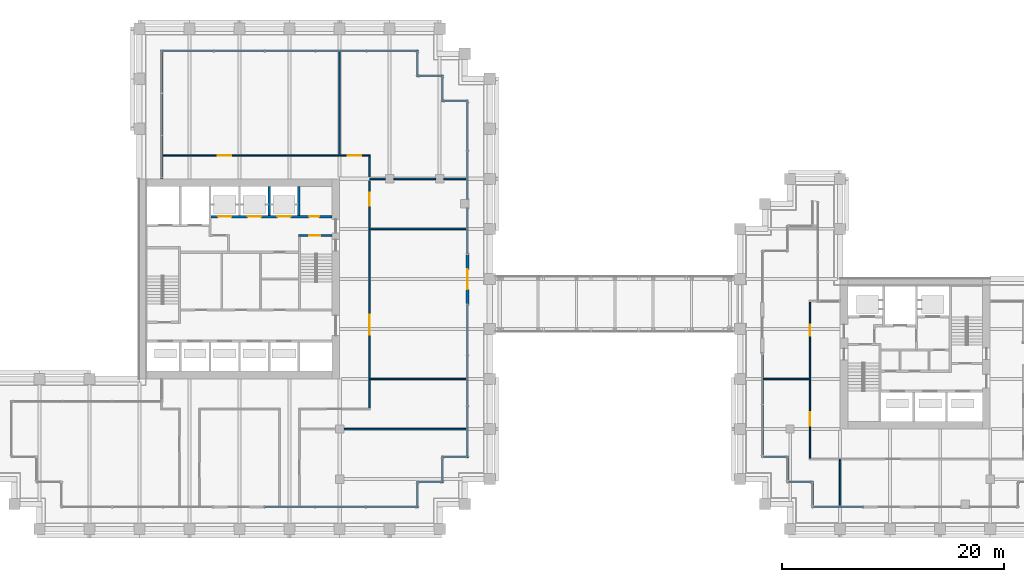
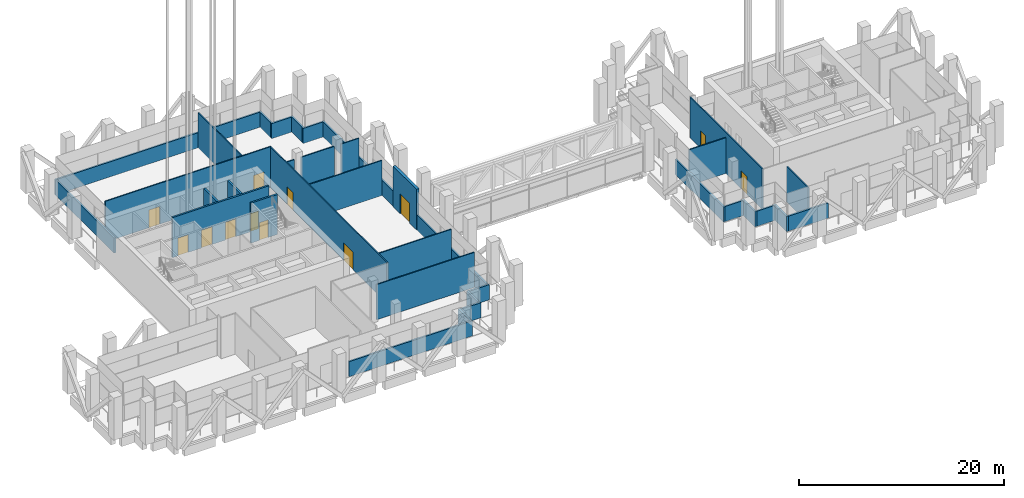
# One storey, part 34 of 48: 37 walls, 12 doors, 12 openings.
"""IFC4 building model written with IfcOpenShell, lengths in metres."""

from ifc_helpers import new_model, si_unit, direction, frame, frame_2d, origin, place, context, subcontext, project, spatial, rectangle, extrude, material, layer, layer_set, type_object, element, fill, save


model = new_model("IFC4")

# Units and contexts
model_context = context("Model", 3, precision=1e-05, world=origin(), true_north=direction((0.0, 1.0)))
body_context = subcontext(model_context, "Body", "Model", "MODEL_VIEW")
ifc_project = project(units=[si_unit("LENGTHUNIT", "METRE"), si_unit("AREAUNIT", "SQUARE_METRE"), si_unit("VOLUMEUNIT", "CUBIC_METRE"), si_unit("PLANEANGLEUNIT", "RADIAN"), si_unit("MASSUNIT", "GRAM", prefix="KILO")], contexts=[model_context])

# Site, building, storey
site_placement = place(None, origin())
site = spatial("IfcSite", under=ifc_project, at=site_placement, CompositionType="ELEMENT")
building_placement = place(site_placement, origin())
building = spatial("IfcBuilding", under=site, at=building_placement, Name="Altepetl Exchange Towers", CompositionType="ELEMENT")
storey_placement = place(building_placement, frame((0.0, 0.0, 138.800048828125)))
storey = spatial("IfcBuildingStorey", under=building, at=storey_placement, Name="L34 Refuge and sky lobby", CompositionType="ELEMENT", Elevation=138.800048828125)

# Walls
ifc_material_1 = material(Name="Gypsum board on steel studs", Category="steel")
ifc_layer_1 = layer(ifc_material_1, 0.125)
ifc_layer_set_1 = layer_set([ifc_layer_1], Name="Gypsum board on steel studs")
wall_type_1 = type_object("IfcWallType", Name="Partition 125 gypsum board on steel studs", PredefinedType="PARTITIONING", material=ifc_layer_set_1)
wall_1_placement = place(storey_placement, frame((58.875, 36.0, 0.0)))
element("IfcWall", 1, at=wall_1_placement, inside=storey, type_object=wall_type_1, Name="wall:A:L34:P02", PredefinedType="PARTITIONING", context=body_context, shape_type="SweptSolid", body=[
    extrude(rectangle(XDim=11.02490234375, YDim=0.125, at=frame_2d((5.512451171875, 0.0))), origin(), (0.0, 0.0, 1.0), 4.166015625),
])
for number, where, name in (
    (2, (61.199951171875, 40.5, 0.0), "wall:A:L34:P06"),
    (3, (61.199951171875, 54.0, 0.0), "wall:A:L34:P07"),
):
    element("IfcWall", number, at=place(storey_placement, frame(where)), inside=storey, type_object=wall_type_1, Name=name, PredefinedType="PARTITIONING", context=body_context, shape_type="SweptSolid", body=[
        extrude(rectangle(XDim=8.699951171875, YDim=0.125, at=frame_2d((4.35009765625, 0.0))), origin(), (0.0, 0.0, 1.0), 4.166015625),
    ])
wall_2_placement = place(storey_placement, frame((61.199951171875, 58.5, 0.0)))
element("IfcWall", 4, at=wall_2_placement, inside=storey, type_object=wall_type_1, Name="wall:A:L34:P08", PredefinedType="PARTITIONING", context=body_context, shape_type="SweptSolid", body=[
    extrude(rectangle(XDim=1.425048828125, YDim=0.125, at=frame_2d((0.71240234375, 0.0))), origin(), (0.0, 0.0, 1.0), 4.075927734375),
])
wall_3_placement = place(storey_placement, frame((63.375, 58.5, 0.0)))
element("IfcWall", 5, at=wall_3_placement, inside=storey, type_object=wall_type_1, Name="wall:A:L34:P09", PredefinedType="PARTITIONING", context=body_context, shape_type="SweptSolid", body=[
    extrude(rectangle(XDim=3.75, YDim=0.125, at=frame_2d((1.875, 0.0))), origin(), (0.0, 0.0, 1.0), 4.075927734375),
])
wall_4_placement = place(storey_placement, frame((67.875, 58.5, 0.0)))
element("IfcWall", 6, at=wall_4_placement, inside=storey, type_object=wall_type_1, Name="wall:A:L34:P10", PredefinedType="PARTITIONING", context=body_context, shape_type="SweptSolid", body=[
    extrude(rectangle(XDim=2.02490234375, YDim=0.125, at=frame_2d((1.012451171875, 0.0))), origin(), (0.0, 0.0, 1.0), 4.075927734375),
])

# Wall, openings, doors
wall_5_placement = place(storey_placement, frame((42.60009765625, 60.60009765625, 0.0)))
wall_5 = element("IfcWall", 7, at=wall_5_placement, inside=storey, type_object=wall_type_1, Name="wall:A:L34:P11", PredefinedType="PARTITIONING", context=body_context, shape_type="SweptSolid", body=[
    extrude(rectangle(XDim=18.662353515625, YDim=0.125, at=frame_2d((9.3310546875, 0.0))), origin(), (0.0, 0.0, 1.0), 4.849853515625),
])
opening_1_placement = place(wall_5_placement, frame((16.64990234375, 0.0, 0.0)))
opening_1 = element("IfcOpeningElement", 8, at=opening_1_placement, cuts=wall_5, Name="Opening L34.A07", PredefinedType="OPENING", context=body_context, shape_type="SweptSolid", body=[
    extrude(rectangle(XDim=1.199951171875, YDim=2.10009765625, at=frame_2d((0.60009765625, 1.050048828125))), frame((0.0, 0.072509765625, 0.0), z_axis=(0.0, -1.0, 0.0), x_axis=(1.0, 0.0, 0.0)), (0.0, 0.0, 1.0), 0.14501953125),
])
opening_2_placement = place(wall_5_placement, frame((4.93505859375, 0.0, 0.0)))
opening_2 = element("IfcOpeningElement", 9, at=opening_2_placement, cuts=wall_5, Name="Opening L34.A08", PredefinedType="OPENING", context=body_context, shape_type="SweptSolid", body=[
    extrude(rectangle(XDim=1.199951171875, YDim=2.10009765625, at=frame_2d((0.60009765625, 1.050048828125))), frame((0.0, 0.072509765625, 0.0), z_axis=(0.0, -1.0, 0.0), x_axis=(1.0, 0.0, 0.0)), (0.0, 0.0, 1.0), 0.14501953125),
])
ifc_material_2 = material(Name="Steel and timber fire door", Category="steel")
door_type_1 = type_object("IfcDoorType", Name="Fire door 1200 x 2100 plant and refuge", OperationType="SINGLE_SWING_LEFT", PredefinedType="DOOR", material=ifc_material_2)
door_1_placement = place(opening_1_placement, origin())
door_1 = element("IfcDoor", 10, at=door_1_placement, inside=storey, type_object=door_type_1, Name="door:A:L34:07", OperationType="SINGLE_SWING_RIGHT", OverallHeight=2.10009765625, OverallWidth=1.199951171875, PredefinedType="DOOR", context=body_context, shape_type="SweptSolid", body=[
    extrude(rectangle(XDim=1.199951171875, YDim=2.10009765625, at=frame_2d((0.60009765625, 1.050048828125))), frame((0.0, 0.02490234375, 0.0), z_axis=(0.0, -1.0, 0.0), x_axis=(1.0, 0.0, 0.0)), (0.0, 0.0, 1.0), 0.050048828125),
])
fill(opening_1, door_1)
door_2_placement = place(opening_2_placement, origin())
door_2 = element("IfcDoor", 11, at=door_2_placement, inside=storey, type_object=door_type_1, Name="door:A:L34:08", OperationType="SINGLE_SWING_LEFT", OverallHeight=2.10009765625, OverallWidth=1.199951171875, PredefinedType="DOOR", context=body_context, shape_type="SweptSolid", body=[
    extrude(rectangle(XDim=1.199951171875, YDim=2.10009765625, at=frame_2d((0.60009765625, 1.050048828125))), frame((0.0, 0.02490234375, 0.0), z_axis=(0.0, -1.0, 0.0), x_axis=(1.0, 0.0, 0.0)), (0.0, 0.0, 1.0), 0.050048828125),
])
fill(opening_2, door_2)

# Wall
wall_6_placement = place(storey_placement, frame((58.5, 60.60009765625, 0.0), z_axis=(0.0, 0.0, 1.0), x_axis=(0.0, 1.0, 0.0)))
element("IfcWall", 12, at=wall_6_placement, inside=storey, type_object=wall_type_1, Name="wall:A:L34:P17", PredefinedType="PARTITIONING", context=body_context, shape_type="SweptSolid", body=[
    extrude(rectangle(XDim=9.2998046875, YDim=0.125, at=frame_2d((4.64990234375, 0.0))), origin(), (0.0, 0.0, 1.0), 4.166015625),
])

# Wall, openings, doors
wall_7_placement = place(storey_placement, frame((61.199951171875, 37.862548828125, 0.0), z_axis=(0.0, 0.0, 1.0), x_axis=(0.0, 1.0, 0.0)))
wall_7 = element("IfcWall", 13, at=wall_7_placement, inside=storey, type_object=wall_type_1, Name="wall:A:L34:P18", PredefinedType="PARTITIONING", context=body_context, shape_type="SweptSolid", body=[
    extrude(rectangle(XDim=22.675048828125, YDim=0.125, at=frame_2d((11.33740234375, 0.0))), origin(), (0.0, 0.0, 1.0), 4.849853515625),
])
opening_3_placement = place(wall_7_placement, frame((6.597412109375, 0.0, 0.0)))
opening_3 = element("IfcOpeningElement", 14, at=opening_3_placement, cuts=wall_7, Name="Opening L34.A05", PredefinedType="OPENING", context=body_context, shape_type="SweptSolid", body=[
    extrude(rectangle(XDim=1.800048828125, YDim=2.10009765625, at=frame_2d((0.89990234375, 1.050048828125))), frame((0.0, 0.072509765625, 0.0), z_axis=(0.0, -1.0, 0.0), x_axis=(1.0, 0.0, 0.0)), (0.0, 0.0, 1.0), 0.14501953125),
])
opening_4_placement = place(wall_7_placement, frame((18.20751953125, 0.0, 0.0)))
opening_4 = element("IfcOpeningElement", 15, at=opening_4_placement, cuts=wall_7, Name="Opening L34.A06", PredefinedType="OPENING", context=body_context, shape_type="SweptSolid", body=[
    extrude(rectangle(XDim=1.199951171875, YDim=2.10009765625, at=frame_2d((0.60009765625, 1.050048828125))), frame((0.0, 0.072509765625, 0.0), z_axis=(0.0, -1.0, 0.0), x_axis=(1.0, 0.0, 0.0)), (0.0, 0.0, 1.0), 0.14501953125),
])
door_3_placement = place(opening_4_placement, frame((1.199951171875, 0.0, 0.0), x_axis=(-1.0, 0.0, 0.0)))
door_3 = element("IfcDoor", 16, at=door_3_placement, inside=storey, type_object=door_type_1, Name="door:A:L34:06", OperationType="SINGLE_SWING_LEFT", OverallHeight=2.10009765625, OverallWidth=1.199951171875, PredefinedType="DOOR", context=body_context, shape_type="SweptSolid", body=[
    extrude(rectangle(XDim=1.199951171875, YDim=2.10009765625, at=frame_2d((0.60009765625, 1.050048828125))), frame((0.0, 0.02490234375, 0.0), z_axis=(0.0, -1.0, 0.0), x_axis=(1.0, 0.0, 0.0)), (0.0, 0.0, 1.0), 0.050048828125),
])
fill(opening_4, door_3)
door_type_2 = type_object("IfcDoorType", Name="Fire door 1800 x 2100 double leaf", OperationType="DOUBLE_DOOR_SINGLE_SWING", PredefinedType="DOOR", material=ifc_material_2)
door_4_placement = place(opening_3_placement, frame((1.800048828125, 0.0, 0.0), x_axis=(-1.0, 0.0, 0.0)))
door_4 = element("IfcDoor", 17, at=door_4_placement, inside=storey, type_object=door_type_2, Name="door:A:L34:05", OperationType="DOUBLE_DOOR_SINGLE_SWING", OverallHeight=2.10009765625, OverallWidth=1.800048828125, PredefinedType="DOOR", context=body_context, shape_type="SweptSolid", body=[
    extrude(rectangle(XDim=1.800048828125, YDim=2.10009765625, at=frame_2d((0.89990234375, 1.050048828125))), frame((0.0, 0.02490234375, 0.0), z_axis=(0.0, -1.0, 0.0), x_axis=(1.0, 0.0, 0.0)), (0.0, 0.0, 1.0), 0.050048828125),
])
fill(opening_3, door_4)

# Wall
wall_8_placement = place(storey_placement, frame((96.60009765625, 40.5, 0.0)))
element("IfcWall", 18, at=wall_8_placement, inside=storey, type_object=wall_type_1, Name="wall:B:L34:P03", PredefinedType="PARTITIONING", context=body_context, shape_type="SweptSolid", body=[
    extrude(rectangle(XDim=4.199951171875, YDim=0.125, at=frame_2d((2.10009765625, 0.0))), origin(), (0.0, 0.0, 1.0), 4.2509765625),
])

# Wall, openings, doors
wall_9_placement = place(storey_placement, frame((100.800048828125, 33.362548828125, 0.0), z_axis=(0.0, 0.0, 1.0), x_axis=(0.0, 1.0, 0.0)))
wall_9 = element("IfcWall", 19, at=wall_9_placement, inside=storey, type_object=wall_type_1, Name="wall:B:L34:P08", PredefinedType="PARTITIONING", context=body_context, shape_type="SweptSolid", body=[
    extrude(rectangle(XDim=14.074951171875, YDim=0.125, at=frame_2d((7.03759765625, 0.0))), origin(), (0.0, 0.0, 1.0), 4.849853515625),
])
opening_5_placement = place(wall_9_placement, frame((2.9375, 0.0, 0.0)))
opening_5 = element("IfcOpeningElement", 20, at=opening_5_placement, cuts=wall_9, Name="Opening L34.B01", PredefinedType="OPENING", context=body_context, shape_type="SweptSolid", body=[
    extrude(rectangle(XDim=1.199951171875, YDim=2.10009765625, at=frame_2d((0.60009765625, 1.050048828125))), frame((0.0, 0.072509765625, 0.0), z_axis=(0.0, -1.0, 0.0), x_axis=(1.0, 0.0, 0.0)), (0.0, 0.0, 1.0), 0.14501953125),
])
opening_6_placement = place(wall_9_placement, frame((11.029541015625, 0.0, 0.0)))
opening_6 = element("IfcOpeningElement", 21, at=opening_6_placement, cuts=wall_9, Name="Opening L34.B06", PredefinedType="OPENING", context=body_context, shape_type="SweptSolid", body=[
    extrude(rectangle(XDim=1.0, YDim=2.10009765625, at=frame_2d((0.5, 1.050048828125))), frame((0.0, 0.072509765625, 0.0), z_axis=(0.0, -1.0, 0.0), x_axis=(1.0, 0.0, 0.0)), (0.0, 0.0, 1.0), 0.14501953125),
])
door_type_3 = type_object("IfcDoorType", Name="Fire door 1000 x 2100 single leaf", OperationType="SINGLE_SWING_LEFT", PredefinedType="DOOR", material=ifc_material_2)
door_5_placement = place(opening_6_placement, origin())
door_5 = element("IfcDoor", 22, at=door_5_placement, inside=storey, type_object=door_type_3, Name="door:B:L34:06", OperationType="SINGLE_SWING_LEFT", OverallHeight=2.10009765625, OverallWidth=1.0, PredefinedType="DOOR", context=body_context, shape_type="SweptSolid", body=[
    extrude(rectangle(XDim=1.0, YDim=2.10009765625, at=frame_2d((0.5, 1.050048828125))), frame((0.0, 0.02490234375, 0.0), z_axis=(0.0, -1.0, 0.0), x_axis=(1.0, 0.0, 0.0)), (0.0, 0.0, 1.0), 0.050048828125),
])
fill(opening_6, door_5)
door_6_placement = place(opening_5_placement, origin())
door_6 = element("IfcDoor", 23, at=door_6_placement, inside=storey, type_object=door_type_1, Name="door:B:L34:01", OperationType="SINGLE_SWING_RIGHT", OverallHeight=2.10009765625, OverallWidth=1.199951171875, PredefinedType="DOOR", context=body_context, shape_type="SweptSolid", body=[
    extrude(rectangle(XDim=1.199951171875, YDim=2.10009765625, at=frame_2d((0.60009765625, 1.050048828125))), frame((0.0, 0.02490234375, 0.0), z_axis=(0.0, -1.0, 0.0), x_axis=(1.0, 0.0, 0.0)), (0.0, 0.0, 1.0), 0.050048828125),
])
fill(opening_5, door_6)

# Walls
wall_10_placement = place(storey_placement, frame((103.5, 29.10009765625, 0.0), z_axis=(0.0, 0.0, 1.0), x_axis=(0.0, 1.0, 0.0)))
element("IfcWall", 24, at=wall_10_placement, inside=storey, type_object=wall_type_1, Name="wall:B:L34:P09", PredefinedType="PARTITIONING", context=body_context, shape_type="SweptSolid", body=[
    extrude(rectangle(XDim=4.199951171875, YDim=0.125, at=frame_2d((2.10009765625, 0.0))), origin(), (0.0, 0.0, 1.0), 4.2509765625),
])
ifc_material_3 = material(Name="Cantera limestone cladding", Category="masonry")
ifc_layer_2 = layer(ifc_material_3, 0.199951171875)
ifc_layer_set_2 = layer_set([ifc_layer_2], Name="Cantera limestone cladding")
wall_type_2 = type_object("IfcWallType", Name="Refuge stone wall 200", PredefinedType="ELEMENTEDWALL", material=ifc_layer_set_2)
wall_11_placement = place(storey_placement, frame((51.728515625, 29.0, 0.0)))
element("IfcWall", 25, at=wall_11_placement, inside=storey, type_object=wall_type_2, Name="Refuge stone wall", PredefinedType="ELEMENTEDWALL", context=body_context, shape_type="SweptSolid", body=[
    extrude(rectangle(XDim=13.87158203125, YDim=0.199951171875, at=frame_2d((6.935791015625, 0.0))), origin(), (0.0, 0.0, 1.0), 1.800048828125),
])
wall_12_placement = place(storey_placement, frame((65.5, 29.10009765625, 0.0), z_axis=(0.0, 0.0, 1.0), x_axis=(0.0, 1.0, 0.0)))
element("IfcWall", 26, at=wall_12_placement, inside=storey, type_object=wall_type_2, Name="Refuge stone wall", PredefinedType="ELEMENTEDWALL", context=body_context, shape_type="SweptSolid", body=[
    extrude(rectangle(XDim=2.25, YDim=0.199951171875, at=frame_2d((1.125, 0.0))), origin(), (0.0, 0.0, 1.0), 1.800048828125),
])
wall_13_placement = place(storey_placement, frame((65.60009765625, 31.25, 0.0)))
element("IfcWall", 27, at=wall_13_placement, inside=storey, type_object=wall_type_2, Name="Refuge stone wall", PredefinedType="ELEMENTEDWALL", context=body_context, shape_type="SweptSolid", body=[
    extrude(rectangle(XDim=2.25, YDim=0.199951171875, at=frame_2d((1.125, 0.0))), origin(), (0.0, 0.0, 1.0), 1.800048828125),
])
wall_14_placement = place(storey_placement, frame((67.75, 31.35009765625, 0.0), z_axis=(0.0, 0.0, 1.0), x_axis=(0.0, 1.0, 0.0)))
element("IfcWall", 28, at=wall_14_placement, inside=storey, type_object=wall_type_2, Name="Refuge stone wall", PredefinedType="ELEMENTEDWALL", context=body_context, shape_type="SweptSolid", body=[
    extrude(rectangle(XDim=2.25, YDim=0.199951171875, at=frame_2d((1.125, 0.0))), origin(), (0.0, 0.0, 1.0), 1.800048828125),
])
wall_15_placement = place(storey_placement, frame((67.85009765625, 33.5, 0.0)))
element("IfcWall", 29, at=wall_15_placement, inside=storey, type_object=wall_type_2, Name="Refuge stone wall", PredefinedType="ELEMENTEDWALL", context=body_context, shape_type="SweptSolid", body=[
    extrude(rectangle(XDim=2.25, YDim=0.199951171875, at=frame_2d((1.125, 0.0))), origin(), (0.0, 0.0, 1.0), 1.800048828125),
])
wall_16_placement = place(storey_placement, frame((70.0, 33.60009765625, 0.0), z_axis=(0.0, 0.0, 1.0), x_axis=(0.0, 1.0, 0.0)))
element("IfcWall", 30, at=wall_16_placement, inside=storey, type_object=wall_type_2, Name="Refuge stone wall", PredefinedType="ELEMENTEDWALL", context=body_context, shape_type="SweptSolid", body=[
    extrude(rectangle(XDim=13.5712890625, YDim=0.199951171875, at=frame_2d((6.78564453125, 0.0))), origin(), (0.0, 0.0, 1.0), 1.800048828125),
])
wall_17_placement = place(storey_placement, frame((70.0, 51.728515625, 0.0), z_axis=(0.0, 0.0, 1.0), x_axis=(0.0, 1.0, 0.0)))
element("IfcWall", 31, at=wall_17_placement, inside=storey, type_object=wall_type_2, Name="Refuge stone wall", PredefinedType="ELEMENTEDWALL", context=body_context, shape_type="SweptSolid", body=[
    extrude(rectangle(XDim=4.146484375, YDim=0.199951171875, at=frame_2d((2.0732421875, 0.0))), origin(), (0.0, 0.0, 1.0), 1.800048828125),
])
wall_18_placement = place(storey_placement, frame((70.0, 56.625, 0.0), z_axis=(0.0, 0.0, 1.0), x_axis=(0.0, 1.0, 0.0)))
element("IfcWall", 32, at=wall_18_placement, inside=storey, type_object=wall_type_2, Name="Refuge stone wall", PredefinedType="ELEMENTEDWALL", context=body_context, shape_type="SweptSolid", body=[
    extrude(rectangle(XDim=8.97509765625, YDim=0.199951171875, at=frame_2d((4.487548828125, 0.0))), origin(), (0.0, 0.0, 1.0), 1.800048828125),
])
for number, where, z_axis, x_axis, name in (
    (33, (69.89990234375, 65.5, 0.0), (0.0, 0.0, 1.0), (-1.0, 0.0, 0.0), "Refuge stone wall"),
    (34, (67.75, 65.60009765625, 0.0), (0.0, 0.0, 1.0), (0.0, 1.0, 0.0), "Refuge stone wall"),
    (35, (67.64990234375, 67.75, 0.0), (0.0, 0.0, 1.0), (-1.0, 0.0, 0.0), "Refuge stone wall"),
    (36, (65.5, 67.85009765625, 0.0), (0.0, 0.0, 1.0), (0.0, 1.0, 0.0), "Refuge stone wall"),
):
    element("IfcWall", number, at=place(storey_placement, frame(where, z_axis=z_axis, x_axis=x_axis)), inside=storey, type_object=wall_type_2, Name=name, PredefinedType="ELEMENTEDWALL", context=body_context, shape_type="SweptSolid", body=[
        extrude(rectangle(XDim=2.25, YDim=0.199951171875, at=frame_2d((1.125, 0.0))), origin(), (0.0, 0.0, 1.0), 1.800048828125),
    ])
wall_19_placement = place(storey_placement, frame((65.39990234375, 70.0, 0.0), z_axis=(0.0, 0.0, 1.0), x_axis=(-1.0, 0.0, 0.0)))
element("IfcWall", 37, at=wall_19_placement, inside=storey, type_object=wall_type_2, Name="Refuge stone wall", PredefinedType="ELEMENTEDWALL", context=body_context, shape_type="SweptSolid", body=[
    extrude(rectangle(XDim=23.0, YDim=0.199951171875, at=frame_2d((11.5, 0.0))), origin(), (0.0, 0.0, 1.0), 1.800048828125),
])
wall_20_placement = place(storey_placement, frame((42.5, 69.89990234375, 0.0), z_axis=(0.0, 0.0, 1.0), x_axis=(0.0, -1.0, 0.0)))
element("IfcWall", 38, at=wall_20_placement, inside=storey, type_object=wall_type_2, Name="Refuge stone wall", PredefinedType="ELEMENTEDWALL", context=body_context, shape_type="SweptSolid", body=[
    extrude(rectangle(XDim=11.39990234375, YDim=0.199951171875, at=frame_2d((5.699951171875, 0.0))), origin(), (0.0, 0.0, 1.0), 1.800048828125),
])
wall_21_placement = place(storey_placement, frame((96.5, 42.800048828125, 0.0), z_axis=(0.0, 0.0, 1.0), x_axis=(0.0, -1.0, 0.0)))
element("IfcWall", 39, at=wall_21_placement, inside=storey, type_object=wall_type_2, Name="Refuge stone wall", PredefinedType="ELEMENTEDWALL", context=body_context, shape_type="SweptSolid", body=[
    extrude(rectangle(XDim=9.400146484375, YDim=0.199951171875, at=frame_2d((4.7001953125, 0.0))), origin(), (0.0, 0.0, 1.0), 1.800048828125),
])
wall_22_placement = place(storey_placement, frame((96.60009765625, 33.5, 0.0)))
element("IfcWall", 40, at=wall_22_placement, inside=storey, type_object=wall_type_2, Name="Refuge stone wall", PredefinedType="ELEMENTEDWALL", context=body_context, shape_type="SweptSolid", body=[
    extrude(rectangle(XDim=2.25, YDim=0.199951171875, at=frame_2d((1.125, 0.0))), origin(), (0.0, 0.0, 1.0), 1.800048828125),
])
wall_23_placement = place(storey_placement, frame((98.75, 33.39990234375, 0.0), z_axis=(0.0, 0.0, 1.0), x_axis=(0.0, -1.0, 0.0)))
element("IfcWall", 41, at=wall_23_placement, inside=storey, type_object=wall_type_2, Name="Refuge stone wall", PredefinedType="ELEMENTEDWALL", context=body_context, shape_type="SweptSolid", body=[
    extrude(rectangle(XDim=2.25, YDim=0.199951171875, at=frame_2d((1.125, 0.0))), origin(), (0.0, 0.0, 1.0), 1.800048828125),
])
wall_24_placement = place(storey_placement, frame((98.85009765625, 31.25, 0.0)))
element("IfcWall", 42, at=wall_24_placement, inside=storey, type_object=wall_type_2, Name="Refuge stone wall", PredefinedType="ELEMENTEDWALL", context=body_context, shape_type="SweptSolid", body=[
    extrude(rectangle(XDim=2.25, YDim=0.199951171875, at=frame_2d((1.125, 0.0))), origin(), (0.0, 0.0, 1.0), 1.800048828125),
])
wall_25_placement = place(storey_placement, frame((101.0, 31.14990234375, 0.0), z_axis=(0.0, 0.0, 1.0), x_axis=(0.0, -1.0, 0.0)))
element("IfcWall", 43, at=wall_25_placement, inside=storey, type_object=wall_type_2, Name="Refuge stone wall", PredefinedType="ELEMENTEDWALL", context=body_context, shape_type="SweptSolid", body=[
    extrude(rectangle(XDim=2.25, YDim=0.199951171875, at=frame_2d((1.125, 0.0))), origin(), (0.0, 0.0, 1.0), 1.800048828125),
])
wall_26_placement = place(storey_placement, frame((101.10009765625, 29.0, 0.0)))
element("IfcWall", 44, at=wall_26_placement, inside=storey, type_object=wall_type_2, Name="Refuge stone wall", PredefinedType="ELEMENTEDWALL", context=body_context, shape_type="SweptSolid", body=[
    extrude(rectangle(XDim=4.5, YDim=0.199951171875, at=frame_2d((2.25, 0.0))), origin(), (0.0, 0.0, 1.0), 1.800048828125),
])
ifc_material_4 = material(Name="Concrete C40/50", Category="concrete")
ifc_layer_3 = layer(ifc_material_4, 0.199951171875)
ifc_layer_set_3 = layer_set([ifc_layer_3], Name="Concrete C40/50")
wall_type_3 = type_object("IfcWallType", Name="Shaft wall 200 reinforced concrete", PredefinedType="SHEAR", material=ifc_layer_set_3)
for number, where, z_axis, x_axis, name in (
    (45, (52.166748046875, 57.800048828125, 0.0), (0.0, 0.0, 1.0), (0.0, -1.0, 0.0), "wall:A:L34:K-divN4"),
    (46, (54.833251953125, 57.800048828125, 0.0), (0.0, 0.0, 1.0), (0.0, -1.0, 0.0), "wall:A:L34:K-divN5"),
):
    element("IfcWall", number, at=place(storey_placement, frame(where, z_axis=z_axis, x_axis=x_axis)), inside=storey, type_object=wall_type_3, Name=name, PredefinedType="SHEAR", context=body_context, shape_type="SweptSolid", body=[
        extrude(rectangle(XDim=2.60009765625, YDim=0.199951171875, at=frame_2d((1.300048828125, 0.0))), origin(), (0.0, 0.0, 1.0), 4.75),
    ])

# Wall, openings, doors
wall_27_placement = place(storey_placement, frame((46.933349609375, 55.10009765625, 0.0)))
wall_27 = element("IfcWall", 47, at=wall_27_placement, inside=storey, type_object=wall_type_3, Name="wall:A:L34:K-frontNb", PredefinedType="SHEAR", context=body_context, shape_type="SweptSolid", body=[
    extrude(rectangle(XDim=10.86669921875, YDim=0.199951171875, at=frame_2d((5.433349609375, 0.0))), origin(), (0.0, 0.0, 1.0), 4.75),
])
opening_7_placement = place(wall_27_placement, frame((8.83349609375, 0.0, 0.0)))
opening_7 = element("IfcOpeningElement", 48, at=opening_7_placement, cuts=wall_27, Name="Opening L34.A66", PredefinedType="OPENING", context=body_context, shape_type="SweptSolid", body=[
    extrude(rectangle(XDim=0.89990234375, YDim=2.10009765625, at=frame_2d((0.449951171875, 1.050048828125))), frame((0.0, 0.10986328125, 0.0), z_axis=(0.0, -1.0, 0.0), x_axis=(1.0, 0.0, 0.0)), (0.0, 0.0, 1.0), 0.219970703125),
])
opening_8_placement = place(wall_27_placement, frame((0.63330078125, 0.0, 0.0)))
opening_8 = element("IfcOpeningElement", 49, at=opening_8_placement, cuts=wall_27, Name="Opening L34.A77", PredefinedType="OPENING", context=body_context, shape_type="SweptSolid", body=[
    extrude(rectangle(XDim=1.199951171875, YDim=2.10009765625, at=frame_2d((0.60009765625, 1.050048828125))), frame((0.0, 0.10986328125, 0.0), z_axis=(0.0, -1.0, 0.0), x_axis=(1.0, 0.0, 0.0)), (0.0, 0.0, 1.0), 0.219970703125),
])
opening_9_placement = place(wall_27_placement, frame((3.300048828125, 0.0, 0.0)))
opening_9 = element("IfcOpeningElement", 50, at=opening_9_placement, cuts=wall_27, Name="Opening L34.A78", PredefinedType="OPENING", context=body_context, shape_type="SweptSolid", body=[
    extrude(rectangle(XDim=1.199951171875, YDim=2.10009765625, at=frame_2d((0.60009765625, 1.050048828125))), frame((0.0, 0.10986328125, 0.0), z_axis=(0.0, -1.0, 0.0), x_axis=(1.0, 0.0, 0.0)), (0.0, 0.0, 1.0), 0.219970703125),
])
opening_10_placement = place(wall_27_placement, frame((5.966796875, 0.0, 0.0)))
opening_10 = element("IfcOpeningElement", 51, at=opening_10_placement, cuts=wall_27, Name="Opening L34.A79", PredefinedType="OPENING", context=body_context, shape_type="SweptSolid", body=[
    extrude(rectangle(XDim=1.199951171875, YDim=2.10009765625, at=frame_2d((0.60009765625, 1.050048828125))), frame((0.0, 0.10986328125, 0.0), z_axis=(0.0, -1.0, 0.0), x_axis=(1.0, 0.0, 0.0)), (0.0, 0.0, 1.0), 0.219970703125),
])
door_type_4 = type_object("IfcDoorType", Name="Fire door 900 x 2100 service room", OperationType="SINGLE_SWING_LEFT", PredefinedType="DOOR", material=ifc_material_2)
door_7_placement = place(opening_7_placement, origin())
door_7 = element("IfcDoor", 52, at=door_7_placement, inside=storey, type_object=door_type_4, Name="door:A:L34:K-driser", OperationType="SINGLE_SWING_RIGHT", OverallHeight=2.10009765625, OverallWidth=0.89990234375, PredefinedType="DOOR", context=body_context, shape_type="SweptSolid", body=[
    extrude(rectangle(XDim=0.89990234375, YDim=2.10009765625, at=frame_2d((0.449951171875, 1.050048828125))), frame((0.0, 0.02490234375, 0.0), z_axis=(0.0, -1.0, 0.0), x_axis=(1.0, 0.0, 0.0)), (0.0, 0.0, 1.0), 0.050048828125),
])
fill(opening_7, door_7)
ifc_material_5 = material(Name="Stainless steel", Category="steel")
door_type_5 = type_object("IfcDoorType", Name="Lift landing door 1200 x 2100", OperationType="SLIDING_TO_LEFT", PredefinedType="DOOR", material=ifc_material_5)
door_8_placement = place(opening_8_placement, origin())
door_8 = element("IfcDoor", 53, at=door_8_placement, inside=storey, type_object=door_type_5, Name="Landing door P5", OperationType="SLIDING_TO_LEFT", OverallHeight=2.10009765625, OverallWidth=1.199951171875, PredefinedType="DOOR", context=body_context, shape_type="SweptSolid", body=[
    extrude(rectangle(XDim=1.199951171875, YDim=2.10009765625, at=frame_2d((0.60009765625, 1.050048828125))), frame((0.0, 0.02490234375, 0.0), z_axis=(0.0, -1.0, 0.0), x_axis=(1.0, 0.0, 0.0)), (0.0, 0.0, 1.0), 0.050048828125),
])
fill(opening_8, door_8)
door_9_placement = place(opening_9_placement, origin())
door_9 = element("IfcDoor", 54, at=door_9_placement, inside=storey, type_object=door_type_5, Name="Landing door P6", OperationType="SLIDING_TO_LEFT", OverallHeight=2.10009765625, OverallWidth=1.199951171875, PredefinedType="DOOR", context=body_context, shape_type="SweptSolid", body=[
    extrude(rectangle(XDim=1.199951171875, YDim=2.10009765625, at=frame_2d((0.60009765625, 1.050048828125))), frame((0.0, 0.02490234375, 0.0), z_axis=(0.0, -1.0, 0.0), x_axis=(1.0, 0.0, 0.0)), (0.0, 0.0, 1.0), 0.050048828125),
])
fill(opening_9, door_9)
door_10_placement = place(opening_10_placement, origin())
door_10 = element("IfcDoor", 55, at=door_10_placement, inside=storey, type_object=door_type_5, Name="Landing door P7", OperationType="SLIDING_TO_LEFT", OverallHeight=2.10009765625, OverallWidth=1.199951171875, PredefinedType="DOOR", context=body_context, shape_type="SweptSolid", body=[
    extrude(rectangle(XDim=1.199951171875, YDim=2.10009765625, at=frame_2d((0.60009765625, 1.050048828125))), frame((0.0, 0.02490234375, 0.0), z_axis=(0.0, -1.0, 0.0), x_axis=(1.0, 0.0, 0.0)), (0.0, 0.0, 1.0), 0.050048828125),
])
fill(opening_10, door_10)

# Wall, opening, door
ifc_layer_4 = layer(ifc_material_4, 0.199951171875)
ifc_layer_set_4 = layer_set([ifc_layer_4], Name="Concrete C40/50")
wall_type_4 = type_object("IfcWallType", Name="Stair wall 200 reinforced concrete", PredefinedType="SHEAR", material=ifc_layer_set_4)
wall_28_placement = place(storey_placement, frame((54.800048828125, 53.39990234375, 0.0)))
wall_28 = element("IfcWall", 56, at=wall_28_placement, inside=storey, type_object=wall_type_4, Name="wall:A:L34:K-stS2N", PredefinedType="SHEAR", context=body_context, shape_type="SweptSolid", body=[
    extrude(rectangle(XDim=3.0, YDim=0.199951171875, at=frame_2d((1.5, 0.0))), origin(), (0.0, 0.0, 1.0), 4.75),
])
opening_11_placement = place(wall_28_placement, frame((0.949951171875, 0.0, 0.0)))
opening_11 = element("IfcOpeningElement", 57, at=opening_11_placement, cuts=wall_28, Name="Opening L34.A63", PredefinedType="OPENING", context=body_context, shape_type="SweptSolid", body=[
    extrude(rectangle(XDim=1.0, YDim=2.10009765625, at=frame_2d((0.5, 1.050048828125))), frame((0.0, 0.10986328125, 0.0), z_axis=(0.0, -1.0, 0.0), x_axis=(1.0, 0.0, 0.0)), (0.0, 0.0, 1.0), 0.219970703125),
])
door_type_6 = type_object("IfcDoorType", Name="Fire door 1000 x 2100 stair and lobby", OperationType="SINGLE_SWING_LEFT", PredefinedType="DOOR", material=ifc_material_2)
door_11_placement = place(opening_11_placement, frame((1.0, 0.0, 0.0), x_axis=(-1.0, 0.0, 0.0)))
door_11 = element("IfcDoor", 58, at=door_11_placement, inside=storey, type_object=door_type_6, Name="door:A:L34:K-dS2in", OperationType="SINGLE_SWING_LEFT", OverallHeight=2.10009765625, OverallWidth=1.0, PredefinedType="DOOR", context=body_context, shape_type="SweptSolid", body=[
    extrude(rectangle(XDim=1.0, YDim=2.10009765625, at=frame_2d((0.5, 1.050048828125))), frame((0.0, 0.02490234375, 0.0), z_axis=(0.0, -1.0, 0.0), x_axis=(1.0, 0.0, 0.0)), (0.0, 0.0, 1.0), 0.050048828125),
])
fill(opening_11, door_11)

ifc_layer_5 = layer(ifc_material_3, 0.300048828125)
ifc_layer_set_5 = layer_set([ifc_layer_5], Name="Cantera limestone cladding")
wall_type_5 = type_object("IfcWallType", Name="Stone wall panel 300", PredefinedType="ELEMENTEDWALL", material=ifc_layer_set_5)
wall_29_placement = place(storey_placement, frame((70.0, 47.17138671875, 0.0), z_axis=(0.0, 0.0, 1.0), x_axis=(0.0, 1.0, 0.0)))
wall_29 = element("IfcWall", 59, at=wall_29_placement, inside=storey, type_object=wall_type_5, Name="Stone wall panel at BR2 landing", PredefinedType="ELEMENTEDWALL", context=body_context, shape_type="SweptSolid", body=[
    extrude(rectangle(XDim=4.55712890625, YDim=0.300048828125, at=frame_2d((2.278564453125, 0.0))), origin(), (0.0, 0.0, 1.0), 4.849853515625),
])
opening_12_placement = place(wall_29_placement, frame((1.378662109375, 0.0, 0.0)))
opening_12 = element("IfcOpeningElement", 60, at=opening_12_placement, cuts=wall_29, Name="Opening L34.A91", PredefinedType="OPENING", context=body_context, shape_type="SweptSolid", body=[
    extrude(rectangle(XDim=1.800048828125, YDim=2.39990234375, at=frame_2d((0.89990234375, 1.199951171875))), frame((0.0, 0.16015625, 0.0), z_axis=(0.0, -1.0, 0.0), x_axis=(1.0, 0.0, 0.0)), (0.0, 0.0, 1.0), 0.320068359375),
])
ifc_material_6 = material(Name="Steel S275 and fire resisting glass", Category="steel")
door_type_7 = type_object("IfcDoorType", Name="Bridge fire door pair 1800x2400", OperationType="DOUBLE_DOOR_DOUBLE_SWING", PredefinedType="NOTDEFINED", material=ifc_material_6)
door_12_placement = place(opening_12_placement, origin())
door_12 = element("IfcDoor", 61, at=door_12_placement, inside=storey, type_object=door_type_7, Name="BR2 fire door", OperationType="DOUBLE_DOOR_DOUBLE_SWING", OverallHeight=2.39990234375, OverallWidth=1.800048828125, PredefinedType="NOTDEFINED", context=body_context, shape_type="SweptSolid", body=[
    extrude(rectangle(XDim=1.800048828125, YDim=2.39990234375, at=frame_2d((0.89990234375, 1.199951171875))), frame((0.0, 0.02490234375, 0.0), z_axis=(0.0, -1.0, 0.0), x_axis=(1.0, 0.0, 0.0)), (0.0, 0.0, 1.0), 0.050048828125),
])
fill(opening_12, door_12)

save(model, "model.ifc")
